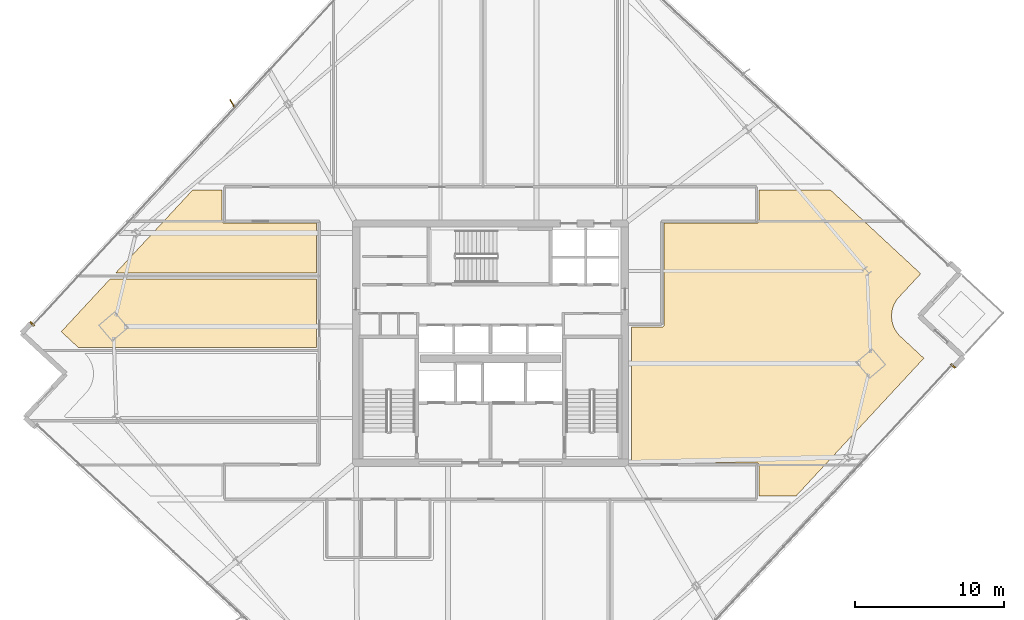
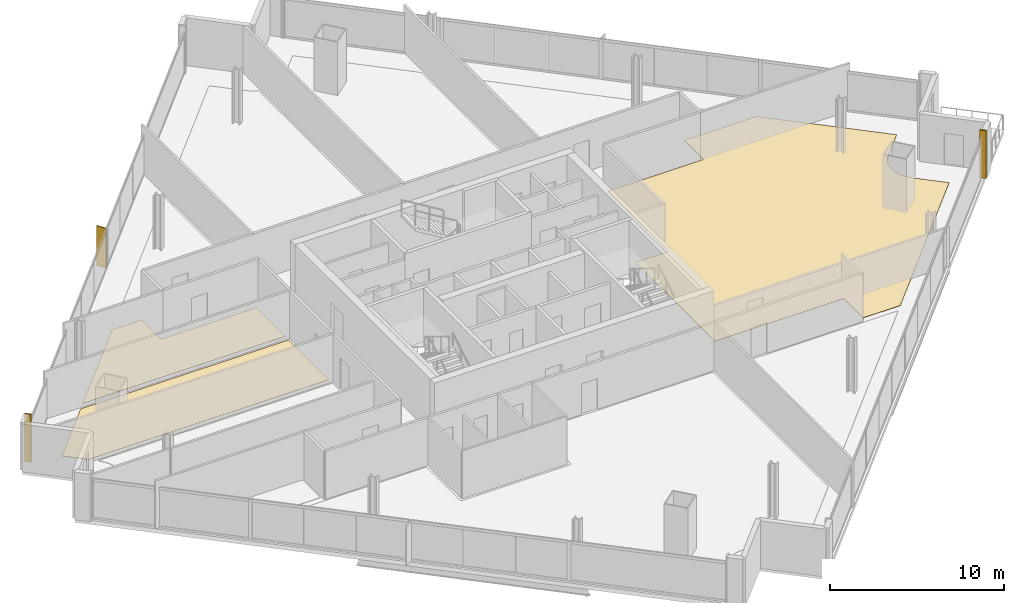
# One storey, part 30 of 32: 5 coverings, 1 shading device.
"""IFC4 building model written with IfcOpenShell, lengths in metres."""

from ifc_helpers import new_model, si_unit, direction, frame, origin, origin_2d, place, context, subcontext, project, spatial, polyline, rectangle, outline, extrude, source, transform, mapped, material, layer, layer_set, type_object, element, save


model = new_model("IFC4")

# Units and contexts
model_context = context("Model", 3, precision=1e-05, world=origin(), true_north=direction((0.0, 1.0)))
body_context = subcontext(model_context, "Body", "Model", "MODEL_VIEW")
ifc_project = project(units=[si_unit("LENGTHUNIT", "METRE"), si_unit("AREAUNIT", "SQUARE_METRE"), si_unit("VOLUMEUNIT", "CUBIC_METRE"), si_unit("PLANEANGLEUNIT", "RADIAN"), si_unit("MASSUNIT", "GRAM", prefix="KILO")], contexts=[model_context])

# Site, building, storey
site_placement = place(None, origin())
site = spatial("IfcSite", under=ifc_project, at=site_placement, CompositionType="ELEMENT")
building_placement = place(site_placement, origin())
building = spatial("IfcBuilding", under=site, at=building_placement, Name="Haldenkirk Collegiate Tower", CompositionType="ELEMENT")
storey_placement = place(building_placement, frame((0.0, 0.0, 185.699951171875)))
storey = spatial("IfcBuildingStorey", under=building, at=storey_placement, Name="L46", CompositionType="ELEMENT", Elevation=185.699951171875)

# Coverings
ifc_material_1 = material(Name="Polished collegiate terrazzo", Category="concrete")
ifc_layer_1 = layer(ifc_material_1, 0.02490234375)
ifc_layer_set_1 = layer_set([ifc_layer_1], Name="Polished collegiate terrazzo")
covering_type_1 = type_object("IfcCoveringType", Name="COV-FLOOR-TERRAZZO", PredefinedType="FLOORING", material=ifc_layer_set_1)
covering_1_placement = place(storey_placement, origin())
element("IfcCovering", 1, at=covering_1_placement, inside=storey, type_object=covering_type_1, Name="L46 academic room finish 10", PredefinedType="FLOORING", context=body_context, shape_type="SweptSolid", body=[
    extrude(outline(polyline([(16.072998046875, 36.25), (18.030029296875, 36.25), (18.030029296875, 34.14990234375), (18.030517578125, 34.13818359375), (18.0322265625, 34.126708984375), (18.03515625, 34.115234375), (18.0390625, 34.10400390625), (18.044189453125, 34.093505859375), (18.05029296875, 34.083251953125), (18.05712890625, 34.073974609375), (18.065185546875, 34.065185546875), (18.073974609375, 34.05712890625), (18.083251953125, 34.05029296875), (18.093505859375, 34.044189453125), (18.10400390625, 34.0390625), (18.115234375, 34.03515625), (18.126708984375, 34.0322265625), (18.13818359375, 34.030517578125), (18.14990234375, 34.030029296875), (24.35009765625, 34.030029296875), (24.35009765625, 30.699951171875), (10.9248046875, 30.699951171875), (16.072998046875, 36.25)])), origin(), (0.0, 0.0, 1.0), 0.025146484375),
])
ifc_material_2 = material(Name="Engineered collegiate oak acoustic flooring", Category="wood")
ifc_layer_2 = layer(ifc_material_2, 0.02197265625)
ifc_layer_set_2 = layer_set([ifc_layer_2], Name="Engineered collegiate oak acoustic flooring")
covering_type_2 = type_object("IfcCoveringType", Name="COV-FLOOR-TIMBER", PredefinedType="FLOORING", material=ifc_layer_set_2)
covering_2_placement = place(storey_placement, origin())
element("IfcCovering", 2, at=covering_2_placement, inside=storey, type_object=covering_type_2, Name="L46 academic room finish 09", PredefinedType="FLOORING", context=body_context, shape_type="SweptSolid", body=[
    extrude(outline(polyline([(7.27099609375, 26.76123046875), (10.5537109375, 30.300048828125), (24.35009765625, 30.300048828125), (24.35009765625, 25.699951171875), (8.4150390625, 25.699951171875), (7.27099609375, 26.76123046875)])), origin(), (0.0, 0.0, 1.0), 0.02197265625),
])
covering_3_placement = place(storey_placement, origin())
element("IfcCovering", 3, at=covering_3_placement, inside=storey, type_object=covering_type_2, Name="L46 academic room finish 11", PredefinedType="FLOORING", context=body_context, shape_type="SweptSolid", body=[
    extrude(outline(polyline([(63.343017578125, 29.0751953125), (63.339111328125, 29.07080078125), (63.228759765625, 28.939208984375), (63.2216796875, 28.9296875), (63.12451171875, 28.7880859375), (63.118408203125, 28.778076171875), (63.03564453125, 28.627685546875), (63.030517578125, 28.616943359375), (62.962890625, 28.458984375), (62.958984375, 28.447998046875), (62.9072265625, 28.2841796875), (62.904296875, 28.27294921875), (62.86865234375, 28.10498046875), (62.86669921875, 28.09326171875), (62.847900390625, 27.922607421875), (62.847412109375, 27.910888671875), (62.84521484375, 27.739013671875), (62.845703125, 27.727294921875), (62.860595703125, 27.55615234375), (62.8623046875, 27.544677734375), (62.893798828125, 27.375732421875), (62.896484375, 27.3642578125), (62.944580078125, 27.19921875), (62.9482421875, 27.18798828125), (63.01220703125, 27.02880859375), (63.01708984375, 27.01806640625), (63.09619140625, 26.86572265625), (63.102294921875, 26.85546875), (63.19580078125, 26.711669921875), (63.202880859375, 26.7021484375), (63.310302734375, 26.568115234375), (63.318115234375, 26.55908203125), (63.438232421875, 26.436279296875), (63.4423828125, 26.432373046875), (65.00390625, 24.983642578125), (56.4384765625, 15.75), (53.969970703125, 15.75), (53.969970703125, 17.85009765625), (53.969482421875, 17.86181640625), (53.9677734375, 17.873291015625), (53.96484375, 17.884765625), (53.9609375, 17.89599609375), (53.955810546875, 17.906494140625), (53.94970703125, 17.916748046875), (53.94287109375, 17.926025390625), (53.934814453125, 17.934814453125), (53.926025390625, 17.94287109375), (53.916748046875, 17.94970703125), (53.906494140625, 17.955810546875), (53.89599609375, 17.9609375), (53.884765625, 17.96484375), (53.873291015625, 17.9677734375), (53.86181640625, 17.969482421875), (53.85009765625, 17.969970703125), (45.449951171875, 17.969970703125), (45.449951171875, 27.080078125), (47.5, 27.080078125), (47.51171875, 27.08056640625), (47.5234375, 27.082275390625), (47.534912109375, 27.085205078125), (47.5458984375, 27.089111328125), (47.556640625, 27.09423828125), (47.566650390625, 27.10009765625), (47.576171875, 27.107177734375), (47.5849609375, 27.114990234375), (47.5927734375, 27.123779296875), (47.599853515625, 27.13330078125), (47.605712890625, 27.143310546875), (47.61083984375, 27.154052734375), (47.61474609375, 27.165283203125), (47.61767578125, 27.176513671875), (47.619384765625, 27.188232421875), (47.6201171875, 27.199951171875), (47.6201171875, 34.030029296875), (53.85009765625, 34.030029296875), (53.86181640625, 34.030517578125), (53.873291015625, 34.0322265625), (53.884765625, 34.03515625), (53.89599609375, 34.0390625), (53.906494140625, 34.044189453125), (53.916748046875, 34.05029296875), (53.926025390625, 34.05712890625), (53.934814453125, 34.065185546875), (53.94287109375, 34.073974609375), (53.94970703125, 34.083251953125), (53.955810546875, 34.093505859375), (53.9609375, 34.10400390625), (53.96484375, 34.115234375), (53.9677734375, 34.126708984375), (53.969482421875, 34.13818359375), (53.969970703125, 34.14990234375), (53.969970703125, 36.25), (58.740478515625, 36.25), (64.791748046875, 30.63671875), (63.343017578125, 29.0751953125)])), origin(), (0.0, 0.0, 1.0), 0.02197265625),
])
ifc_material_3 = material(Name="Anodised architectural bronze aluminium", Category="aluminium")
ifc_layer_3 = layer(ifc_material_3, 0.06005859375)
ifc_layer_set_3 = layer_set([ifc_layer_3], Name="Anodised architectural bronze aluminium")
covering_type_3 = type_object("IfcCoveringType", Name="COV-CLAD-BRONZE-60", PredefinedType="CLADDING", material=ifc_layer_set_3)
shared_shape_1 = source(origin(), body_context, "Body", "SweptSolid", [
    extrude(rectangle(XDim=0.10009765625, YDim=0.3798828125, at=origin_2d()), origin(), (0.0, 0.0, 1.0), 3.340087890625),
])
for number, where, z_axis, x_axis, name in (
    (4, (66.9482421875, 24.46240234375, 0.0), (0.0, 0.0, 1.0), (-0.680081345566, -0.733136660803, 0.0), "L46 recessed curtain-wall bronze jamb closure SJL"),
    (5, (5.32666015625, 27.28271484375, 0.0), (0.0, 0.0, 1.0), (0.680081345566, 0.733136660803, 0.0), "L46 recessed curtain-wall bronze jamb closure NJL"),
):
    element("IfcCovering", number, at=place(storey_placement, frame(where, z_axis=z_axis, x_axis=x_axis)), inside=storey, type_object=covering_type_3, Name=name, PredefinedType="CLADDING", context=body_context, shape_type="MappedRepresentation", body=[
        mapped(shared_shape_1, transform((0.0, 0.0, 0.0), x_axis=(1.0, 0.0, 0.0), y_axis=(0.0, 1.0, 0.0), z_axis=(0.0, 0.0, 1.0), scale=1.0)),
    ])

# Shading device
ifc_layer_4 = layer(ifc_material_3, 0.06494140625)
ifc_layer_set_4 = layer_set([ifc_layer_4], Name="Anodised architectural bronze aluminium")
shading_device_type = type_object("IfcShadingDeviceType", Name="SHD-FIN-BRONZE-620", PredefinedType="USERDEFINED", material=ifc_layer_set_4)
shared_shape_2 = source(origin(), body_context, "Body", "SweptSolid", [
    extrude(rectangle(XDim=0.6201171875, YDim=0.06494140625, at=origin_2d()), origin(), (0.0, 0.0, 1.0), 2.791015625),
])
shading_device_placement = place(storey_placement, frame((18.7236328125, 42.026123046875, 0.0), z_axis=(0.0, 0.0, 1.0), x_axis=(-0.517280366086, 0.855815998251, 0.0)))
element("IfcShadingDevice", 6, at=shading_device_placement, inside=storey, type_object=shading_device_type, Name="L46 folded bronze solar fin 1", ObjectType="FIN", PredefinedType="USERDEFINED", context=body_context, shape_type="MappedRepresentation", body=[
    mapped(shared_shape_2, transform((0.0, 0.0, 0.0), x_axis=(1.0, 0.0, 0.0), y_axis=(0.0, 1.0, 0.0), z_axis=(0.0, 0.0, 1.0), scale=1.0)),
])

save(model, "model.ifc")
